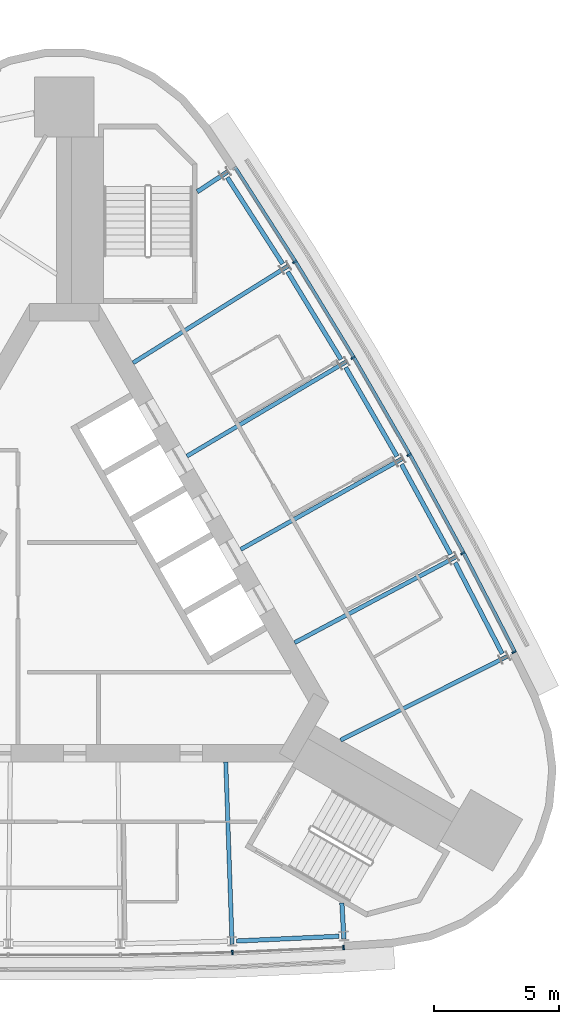
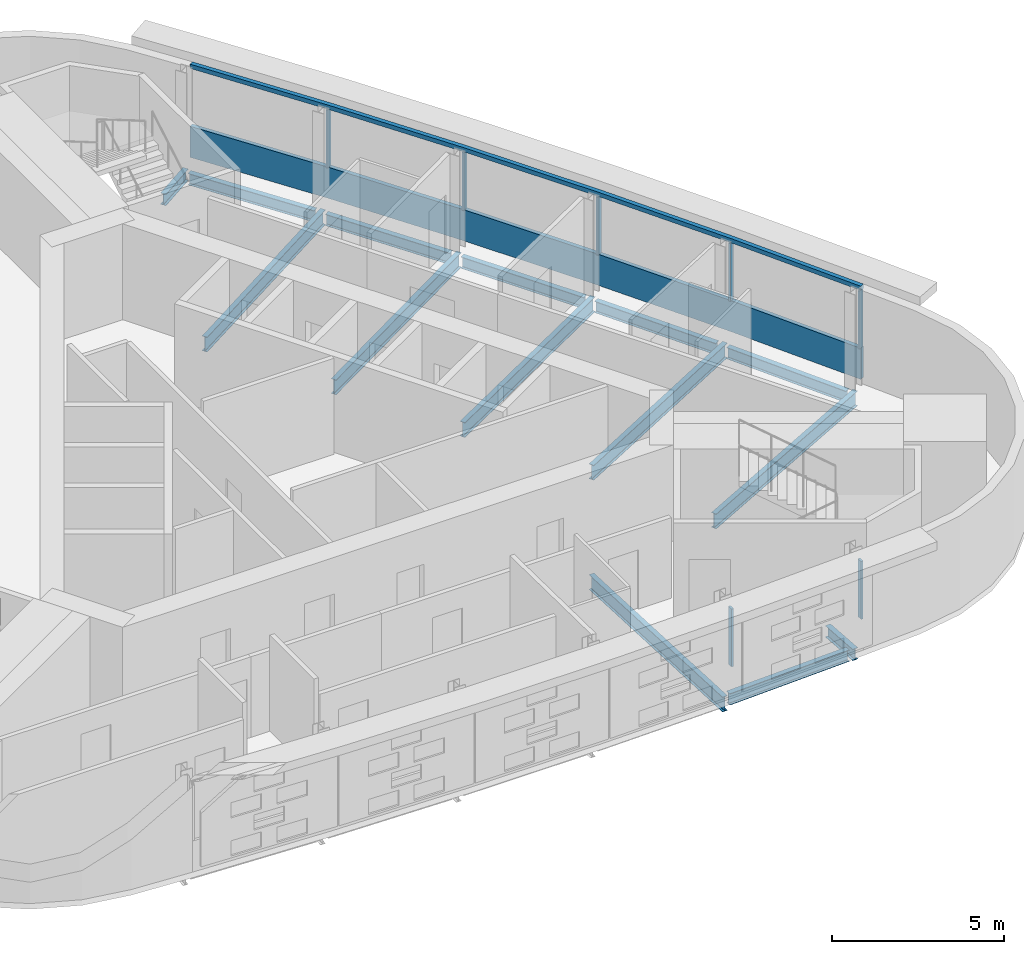
# One storey, part 6 of 13: 14 beams, 9 members, 2 elements without a shape of their own.
"""IFC4 building model written with IfcOpenShell, lengths in metres."""

from ifc_helpers import new_model, si_unit, direction, frame, origin, origin_2d, place, context, subcontext, project, spatial, polyline, rectangle, i_section, outline, extrude, material, material_profile, profile_set, type_object, element, aggregate, save


model = new_model("IFC4")

# Units and contexts
model_context = context("Model", 3, precision=1e-05, world=origin(), true_north=direction((0.0, 1.0)))
body_context = subcontext(model_context, "Body", "Model", "MODEL_VIEW")
ifc_project = project(units=[si_unit("LENGTHUNIT", "METRE"), si_unit("AREAUNIT", "SQUARE_METRE"), si_unit("VOLUMEUNIT", "CUBIC_METRE"), si_unit("PLANEANGLEUNIT", "RADIAN"), si_unit("MASSUNIT", "GRAM", prefix="KILO")], contexts=[model_context])

# Site, building, storey
site_placement = place(None, origin())
site = spatial("IfcSite", under=ifc_project, at=site_placement, CompositionType="ELEMENT")
building_placement = place(site_placement, origin())
building = spatial("IfcBuilding", under=site, at=building_placement, Name="Noor Cloister Tower", CompositionType="ELEMENT")
storey_placement = place(building_placement, frame((0.0, 0.0, 267.0)))
storey = spatial("IfcBuildingStorey", under=building, at=storey_placement, Name="L68", CompositionType="ELEMENT", Elevation=267.0)

# Curtain wall, member
ifc_material_1 = material(Name="Aluminium 6063-T6 anodised", Category="aluminium")
curtain_wall_type = type_object("IfcCurtainWallType", Name="Ribbon curtain wall, upper tower CW5", PredefinedType="NOTDEFINED", material=ifc_material_1)
curtain_wall_1_placement = place(storey_placement, origin())
curtain_wall_1 = element("IfcCurtainWall", 1, at=curtain_wall_1_placement, inside=storey, type_object=curtain_wall_type, Name="CW5 L68 NE run 4", PredefinedType="NOTDEFINED")
ifc_material_2 = material(Name="Aluminium 6063-T6 anodised", Category="aluminium")
member_type_1 = type_object("IfcMemberType", Name="Head transom CW5 150", PredefinedType="USERDEFINED", material=ifc_material_2)
member_1_placement = place(storey_placement, frame((0.0, 0.0, 3.14990234375)))
member_1 = element("IfcMember", 2, at=member_1_placement, type_object=member_type_1, Name="CW5 head transom", ObjectType="TRANSOM", PredefinedType="USERDEFINED", context=body_context, shape_type="SweptSolid", body=[
    extrude(outline(polyline([(18.14501953125, -2.507080078125), (16.078125, 1.489990234375), (13.919189453125, 5.438232421875), (11.669189453125, 9.335205078125), (9.32958984375, 13.178955078125), (6.9013671875, 16.967529296875), (6.783447265625, 16.89208984375), (9.210693359375, 13.10498046875), (11.548828125, 9.263916015625), (13.797119140625, 5.36962890625), (15.95458984375, 1.42431640625), (18.0205078125, -2.5712890625), (18.14501953125, -2.507080078125)])), origin(), (0.0, 0.0, 1.0), 0.150146484375),
])

# Curtain wall, members
curtain_wall_2_placement = place(storey_placement, origin())
curtain_wall_2 = element("IfcCurtainWall", 3, at=curtain_wall_2_placement, inside=storey, type_object=curtain_wall_type, Name="CW5 L68 S run 3", PredefinedType="NOTDEFINED")
ifc_material_3 = material(Name="Aluminium 6063-T6 anodised", Category="aluminium")
ifc_material_profile_1 = material_profile(ifc_material_3, rectangle(XDim=0.179931640625, YDim=0.070068359375, at=origin_2d()), Name="180 x 70 mullion")
ifc_profile_set_1 = profile_set([ifc_material_profile_1], Name="Aluminium 6063-T6 anodised")
member_type_2 = type_object("IfcMemberType", Name="Mullion CW5 70 x 180", PredefinedType="MULLION", material=ifc_profile_set_1)
member_2_placement = place(storey_placement, frame((6.7451171875, -14.569091796875, 1.10009765625), z_axis=(0.0, 0.0, 1.0), x_axis=(-0.034781531747, 0.999394939476, 0.0)))
member_2 = element("IfcMember", 4, at=member_2_placement, type_object=member_type_2, Name="CW5 mullion 5", PredefinedType="MULLION", context=body_context, shape_type="SweptSolid", body=[
    extrude(rectangle(XDim=0.179931640625, YDim=0.070068359375, at=origin_2d()), origin(), (0.0, 0.0, 1.0), 2.0498046875),
])
member_3_placement = place(storey_placement, frame((11.2041015625, -14.3623046875, 1.10009765625), z_axis=(0.0, 0.0, 1.0), x_axis=(-0.046368111516, 0.998924420682, 0.0)))
member_3 = element("IfcMember", 5, at=member_3_placement, type_object=member_type_2, Name="CW5 mullion 6", PredefinedType="MULLION", context=body_context, shape_type="SweptSolid", body=[
    extrude(rectangle(XDim=0.179931640625, YDim=0.070068359375, at=origin_2d()), origin(), (0.0, 0.0, 1.0), 2.0498046875),
])
aggregate(curtain_wall_2, [member_2, member_3])

# Member
member_4_placement = place(storey_placement, frame((18.0400390625, -2.52197265625, 1.10009765625), z_axis=(0.0, 0.0, 1.0), x_axis=(-0.888277980529, -0.459306247842, 0.0)))
member_4 = element("IfcMember", 6, at=member_4_placement, type_object=member_type_2, Name="CW5 mullion 1", PredefinedType="MULLION", context=body_context, shape_type="SweptSolid", body=[
    extrude(rectangle(XDim=0.179931640625, YDim=0.070068359375, at=origin_2d()), origin(), (0.0, 0.0, 1.0), 2.0498046875),
])

member_5_placement = place(storey_placement, frame((15.98974609375, 1.443115234375, 1.10009765625), z_axis=(0.0, 0.0, 1.0), x_axis=(-0.882892171873, -0.469575779662, 0.0)))
member_5 = element("IfcMember", 7, at=member_5_placement, type_object=member_type_2, Name="CW5 mullion 2", PredefinedType="MULLION", context=body_context, shape_type="SweptSolid", body=[
    extrude(rectangle(XDim=0.179931640625, YDim=0.070068359375, at=origin_2d()), origin(), (0.0, 0.0, 1.0), 2.0498046875),
])

member_6_placement = place(storey_placement, frame((13.83203125, 5.38916015625, 1.10009765625), z_axis=(0.0, 0.0, 1.0), x_axis=(-0.871765135197, -0.489924023758, 0.0)))
member_6 = element("IfcMember", 8, at=member_6_placement, type_object=member_type_2, Name="CW5 mullion 3", PredefinedType="MULLION", context=body_context, shape_type="SweptSolid", body=[
    extrude(rectangle(XDim=0.179931640625, YDim=0.070068359375, at=origin_2d()), origin(), (0.0, 0.0, 1.0), 2.0498046875),
])

member_7_placement = place(storey_placement, frame((11.583251953125, 9.2841796875, 1.10009765625), z_axis=(0.0, 0.0, 1.0), x_axis=(-0.860169218097, -0.510008741335, 0.0)))
member_7 = element("IfcMember", 9, at=member_7_placement, type_object=member_type_2, Name="CW5 mullion 4", PredefinedType="MULLION", context=body_context, shape_type="SweptSolid", body=[
    extrude(rectangle(XDim=0.179931640625, YDim=0.070068359375, at=origin_2d()), origin(), (0.0, 0.0, 1.0), 2.0498046875),
])

member_8_placement = place(storey_placement, frame((9.24462890625, 13.1259765625, 1.10009765625), z_axis=(0.0, 0.0, 1.0), x_axis=(-0.848110640126, -0.529819159813, 0.0)))
member_8 = element("IfcMember", 10, at=member_8_placement, type_object=member_type_2, Name="CW5 mullion 5", PredefinedType="MULLION", context=body_context, shape_type="SweptSolid", body=[
    extrude(rectangle(XDim=0.179931640625, YDim=0.070068359375, at=origin_2d()), origin(), (0.0, 0.0, 1.0), 2.0498046875),
])

# Beams
ifc_material_4 = material(Name="Steel ASTM A992 Gr 50", Category="steel")
ifc_material_profile_2 = material_profile(ifc_material_4, i_section(OverallWidth=0.177978515625, OverallDepth=0.406005859375, WebThickness=0.0078125, FlangeThickness=0.0126953125, FilletRadius=0.01025390625, at=origin_2d()), Name="W410x60")
ifc_profile_set_2 = profile_set([ifc_material_profile_2], Name="Steel ASTM A992 Gr 50")
beam_type_1 = type_object("IfcBeamType", Name="Radial beam W410x60", PredefinedType="BEAM", material=ifc_profile_set_2)
beam_1_placement = place(storey_placement, frame((11.21875, -14.03076171875, -0.403076171875), z_axis=(-0.058017998858, 0.998315537197, 0.0), x_axis=(-0.998315537197, -0.058017998858, 0.0)))
element("IfcBeam", 11, at=beam_1_placement, inside=storey, type_object=beam_type_1, Name="Radial beam S 06 L68", PredefinedType="BEAM", context=body_context, shape_type="SweptSolid", body=[
    extrude(i_section(OverallWidth=0.177978515625, OverallDepth=0.406005859375, WebThickness=0.0078125, FlangeThickness=0.0126953125, FilletRadius=0.01025390625, at=origin_2d()), origin(), (0.0, 0.0, 1.0), 1.443359375),
])
beam_2_placement = place(storey_placement, frame((6.54150390625, 16.73095703125, -0.403076171875), z_axis=(-0.835598976558, -0.54933992243, 0.0), x_axis=(0.54933992243, -0.835598976558, 0.0)))
element("IfcBeam", 12, at=beam_2_placement, inside=storey, type_object=beam_type_1, Name="Radial beam NE 06 L68", PredefinedType="BEAM", context=body_context, shape_type="SweptSolid", body=[
    extrude(i_section(OverallWidth=0.177978515625, OverallDepth=0.406005859375, WebThickness=0.0078125, FlangeThickness=0.0126953125, FilletRadius=0.01025390625, at=origin_2d()), origin(), (0.0, 0.0, 1.0), 1.443115234375),
])
ifc_material_5 = material(Name="Steel ASTM A992 Gr 50", Category="steel")
ifc_material_profile_3 = material_profile(ifc_material_5, i_section(OverallWidth=0.166015625, OverallDepth=0.528076171875, WebThickness=0.009765625, FlangeThickness=0.013671875, FilletRadius=0.0126953125, at=origin_2d()), Name="W530x74")
ifc_profile_set_3 = profile_set([ifc_material_profile_3], Name="Steel ASTM A992 Gr 50")
beam_type_2 = type_object("IfcBeamType", Name="Radial beam W530x74", PredefinedType="BEAM", material=ifc_profile_set_3)
beam_3_placement = place(storey_placement, frame((6.733642578125, -14.23876953125, -0.464111328125), z_axis=(-0.034777240267, 0.999395088821, 0.0), x_axis=(-0.999395088821, -0.034777240267, 0.0)))
element("IfcBeam", 13, at=beam_3_placement, inside=storey, type_object=beam_type_2, Name="Radial beam S 05 L68", PredefinedType="BEAM", context=body_context, shape_type="SweptSolid", body=[
    extrude(i_section(OverallWidth=0.166015625, OverallDepth=0.528076171875, WebThickness=0.009765625, FlangeThickness=0.013671875, FilletRadius=0.0126953125, at=origin_2d()), origin(), (0.0, 0.0, 1.0), 7.31494140625),
])
beam_4_placement = place(storey_placement, frame((17.76025390625, -2.700439453125, -0.464111328125), z_axis=(-0.893549510388, -0.448964667302, 0.0), x_axis=(0.448964667302, -0.893549510388, 0.0)))
element("IfcBeam", 14, at=beam_4_placement, inside=storey, type_object=beam_type_2, Name="Radial beam NE 01 L68", PredefinedType="BEAM", context=body_context, shape_type="SweptSolid", body=[
    extrude(i_section(OverallWidth=0.166015625, OverallDepth=0.528076171875, WebThickness=0.009765625, FlangeThickness=0.013671875, FilletRadius=0.0126953125, at=origin_2d()), origin(), (0.0, 0.0, 1.0), 7.469482421875),
])
beam_5_placement = place(storey_placement, frame((15.697998046875, 1.287841796875, -0.464111328125), z_axis=(-0.882903889785, -0.469553747085, 0.0), x_axis=(0.469553747085, -0.882903889785, 0.0)))
element("IfcBeam", 15, at=beam_5_placement, inside=storey, type_object=beam_type_2, Name="Radial beam NE 02 L68", PredefinedType="BEAM", context=body_context, shape_type="SweptSolid", body=[
    extrude(i_section(OverallWidth=0.166015625, OverallDepth=0.528076171875, WebThickness=0.009765625, FlangeThickness=0.013671875, FilletRadius=0.0126953125, at=origin_2d()), origin(), (0.0, 0.0, 1.0), 7.31494140625),
])
for number, where, z_axis, x_axis, name in (
    (16, (13.5439453125, 5.227294921875, -0.464111328125), (-0.871770669318, -0.489914176277, 0.0), (0.489914176277, -0.871770669318, 0.0), "Radial beam NE 03 L68"),
    (17, (11.298828125, 9.11572265625, -0.464111328125), (-0.860162619342, -0.510019870482, 0.0), (0.510019870482, -0.860162619342, 0.0), "Radial beam NE 04 L68"),
):
    element("IfcBeam", number, at=place(storey_placement, frame(where, z_axis=z_axis, x_axis=x_axis)), inside=storey, type_object=beam_type_2, Name=name, PredefinedType="BEAM", context=body_context, shape_type="SweptSolid", body=[
        extrude(i_section(OverallWidth=0.166015625, OverallDepth=0.528076171875, WebThickness=0.009765625, FlangeThickness=0.013671875, FilletRadius=0.0126953125, at=origin_2d()), origin(), (0.0, 0.0, 1.0), 7.415283203125),
    ])
beam_6_placement = place(storey_placement, frame((8.96435546875, 12.950927734375, -0.464111328125), z_axis=(-0.848101414082, -0.529833928163, 0.0), x_axis=(0.529833928163, -0.848101414082, 0.0)))
element("IfcBeam", 18, at=beam_6_placement, inside=storey, type_object=beam_type_2, Name="Radial beam NE 05 L68", PredefinedType="BEAM", context=body_context, shape_type="SweptSolid", body=[
    extrude(i_section(OverallWidth=0.166015625, OverallDepth=0.528076171875, WebThickness=0.009765625, FlangeThickness=0.013671875, FilletRadius=0.0126953125, at=origin_2d()), origin(), (0.0, 0.0, 1.0), 7.31494140625),
])

# Member
ifc_material_6 = material(Name="Aluminium 6063-T6 anodised", Category="aluminium")
member_type_3 = type_object("IfcMemberType", Name="Sill transom CW5 1100", PredefinedType="USERDEFINED", material=ifc_material_6)
member_9_placement = place(storey_placement, origin())
member_9 = element("IfcMember", 19, at=member_9_placement, type_object=member_type_3, Name="CW5 sill transom", ObjectType="TRANSOM", PredefinedType="USERDEFINED", context=body_context, shape_type="SweptSolid", body=[
    extrude(outline(polyline([(18.14501953125, -2.507080078125), (16.078125, 1.489990234375), (13.919189453125, 5.438232421875), (11.669189453125, 9.335205078125), (9.32958984375, 13.178955078125), (6.9013671875, 16.967529296875), (6.783447265625, 16.89208984375), (9.210693359375, 13.10498046875), (11.548828125, 9.263916015625), (13.797119140625, 5.36962890625), (15.95458984375, 1.42431640625), (18.0205078125, -2.5712890625), (18.14501953125, -2.507080078125)])), origin(), (0.0, 0.0, 1.0), 1.10009765625),
])

aggregate(curtain_wall_1, [member_4, member_5, member_6, member_7, member_8, member_9, member_1])

# Beams
ifc_material_7 = material(Name="Steel ASTM A992 Gr 50", Category="steel")
ifc_material_profile_4 = material_profile(ifc_material_7, i_section(OverallWidth=0.177978515625, OverallDepth=0.406005859375, WebThickness=0.0078125, FlangeThickness=0.0126953125, FilletRadius=0.01025390625, at=origin_2d()), Name="W410x60")
ifc_profile_set_4 = profile_set([ifc_material_profile_4], Name="Steel ASTM A992 Gr 50")
beam_type_3 = type_object("IfcBeamType", Name="Spandrel beam W410x60", PredefinedType="SPANDREL", material=ifc_profile_set_4)
beam_7_placement = place(storey_placement, frame((6.914794921875, -14.11083984375, -0.403076171875), z_axis=(0.998923795857, 0.046381570381, 0.0), x_axis=(-0.046381570381, 0.998923795857, 0.0)))
element("IfcBeam", 20, at=beam_7_placement, inside=storey, type_object=beam_type_3, Name="Spandrel beam S 05 L68", PredefinedType="SPANDREL", context=body_context, shape_type="SweptSolid", body=[
    extrude(i_section(OverallWidth=0.177978515625, OverallDepth=0.406005859375, WebThickness=0.0078125, FlangeThickness=0.0126953125, FilletRadius=0.01025390625, at=origin_2d()), origin(), (0.0, 0.0, 1.0), 4.1162109375),
])
beam_8_placement = place(storey_placement, frame((17.568359375, -2.58935546875, -0.403076171875), z_axis=(-0.459295448048, 0.888283564749, 0.0), x_axis=(-0.888283564749, -0.459295448048, 0.0)))
element("IfcBeam", 21, at=beam_8_placement, inside=storey, type_object=beam_type_3, Name="Spandrel beam NE 01 L68", PredefinedType="SPANDREL", context=body_context, shape_type="SweptSolid", body=[
    extrude(i_section(OverallWidth=0.177978515625, OverallDepth=0.406005859375, WebThickness=0.0078125, FlangeThickness=0.0126953125, FilletRadius=0.01025390625, at=origin_2d()), origin(), (0.0, 0.0, 1.0), 4.116455078125),
])
for number, where, z_axis, x_axis, name in (
    (22, (15.503662109375, 1.39453125, -0.403076171875), (-0.479770251557, 0.87739415642, 0.0), (-0.87739415642, -0.479770251557, 0.0), "Spandrel beam NE 02 L68"),
    (23, (13.346923828125, 5.329345703125, -0.403076171875), (-0.500004836318, 0.866022611517, 0.0), (-0.866022611517, -0.500004836318, 0.0), "Spandrel beam NE 03 L68"),
    (24, (11.099609375, 9.213134765625, -0.403076171875), (-0.51992813058, 0.85421000874, 0.0), (-0.85421000874, -0.51992813058, 0.0), "Spandrel beam NE 04 L68"),
    (25, (8.762939453125, 13.0439453125, -0.403076171875), (-0.539635932385, 0.841898485851, 0.0), (-0.841898485851, -0.539635932385, 0.0), "Spandrel beam NE 05 L68"),
):
    element("IfcBeam", number, at=place(storey_placement, frame(where, z_axis=z_axis, x_axis=x_axis)), inside=storey, type_object=beam_type_3, Name=name, PredefinedType="SPANDREL", context=body_context, shape_type="SweptSolid", body=[
        extrude(i_section(OverallWidth=0.177978515625, OverallDepth=0.406005859375, WebThickness=0.0078125, FlangeThickness=0.0126953125, FilletRadius=0.01025390625, at=origin_2d()), origin(), (0.0, 0.0, 1.0), 4.1162109375),
    ])

save(model, "model.ifc")
